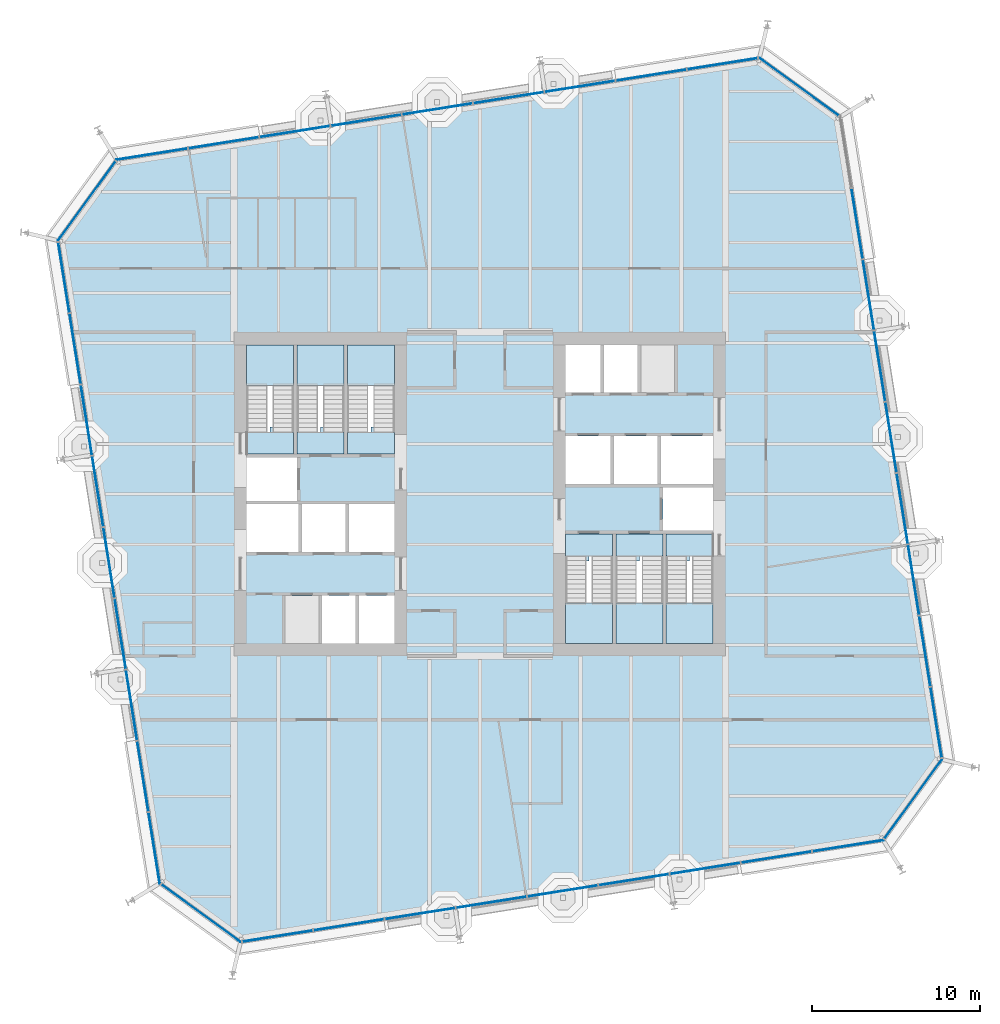
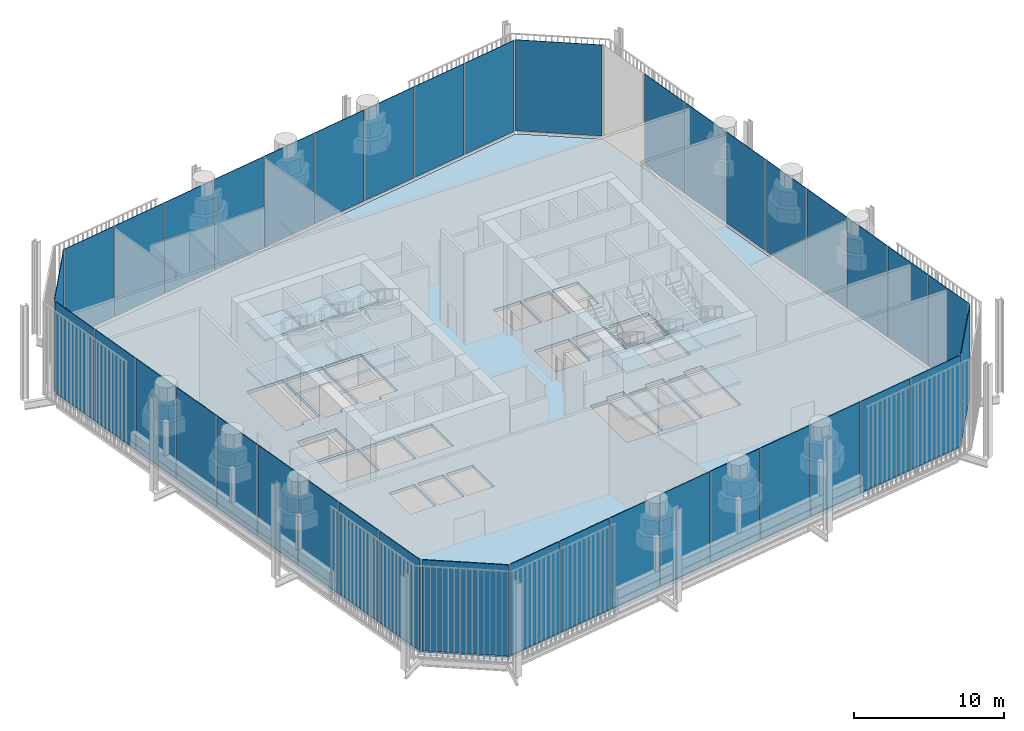
# One storey, part 10 of 19: 39 plates, 19 slabs, 14 elements without a shape of their own.
"""IFC4 building model written with IfcOpenShell, lengths in metres."""

from ifc_helpers import new_model, si_unit, direction, frame, origin, place, context, subcontext, project, spatial, polyline, outline, extrude, material, layer, layer_set, type_object, element, aggregate, save


model = new_model("IFC4")

# Units and contexts
model_context = context("Model", 3, precision=1e-05, world=origin(), true_north=direction((0.0, 1.0)))
body_context = subcontext(model_context, "Body", "Model", "MODEL_VIEW")
ifc_project = project(units=[si_unit("LENGTHUNIT", "METRE"), si_unit("AREAUNIT", "SQUARE_METRE"), si_unit("VOLUMEUNIT", "CUBIC_METRE"), si_unit("PLANEANGLEUNIT", "RADIAN"), si_unit("MASSUNIT", "GRAM", prefix="KILO")], contexts=[model_context])

# Site, building, storey
site_placement = place(None, origin())
site = spatial("IfcSite", under=ifc_project, at=site_placement, CompositionType="ELEMENT")
building_placement = place(site_placement, origin())
building = spatial("IfcBuilding", under=site, at=building_placement, Name="Millrace Tower", CompositionType="ELEMENT")
storey_placement = place(building_placement, frame((0.0, 0.0, 172.39990234375)))
storey = spatial("IfcBuildingStorey", under=building, at=storey_placement, Name="L39", CompositionType="ELEMENT", Elevation=172.39990234375)

# Curtain wall, plate
ifc_material_1 = material(Name="Aluminium and glass", Category="aluminium")
ifc_layer_1 = layer(ifc_material_1, 0.199951171875)
ifc_layer_set_1 = layer_set([ifc_layer_1], Name="Aluminium and glass")
curtain_wall_type = type_object("IfcCurtainWallType", Name="CW-4 sky garden winter glazing", PredefinedType="NOTDEFINED", material=ifc_layer_set_1)
placement_1 = place(storey_placement, origin())
curtain_wall_1 = element("IfcCurtainWall", 1, at=placement_1, inside=storey, type_object=curtain_wall_type, Name="Curtain wall C-F01 L39", PredefinedType="NOTDEFINED")
ifc_material_2 = material(Name="Glass", Category="glass")
ifc_layer_2 = layer(ifc_material_2, 0.0439453125)
ifc_layer_set_2 = layer_set([ifc_layer_2], Name="Glass")
plate_type = type_object("IfcPlateType", Name="CW-4 sky garden winter glazing triple-glazed double-height panel", PredefinedType="CURTAIN_PANEL", material=ifc_layer_set_2)
placement_2 = place(storey_placement, frame((0.0, 0.0, 0.18017578125)))
plate_1 = element("IfcPlate", 2, at=placement_2, type_object=plate_type, Name="CW4 panel C-F01.1", PredefinedType="CURTAIN_PANEL", context=body_context, shape_type="SweptSolid", body=[
    extrude(outline(polyline([(-18.99072265625, -23.28369140625), (-14.266357421875, -26.716064453125), (-14.25537109375, -26.669677734375), (-18.96484375, -23.248046875), (-18.99072265625, -23.28369140625)])), origin(), (0.0, 0.0, 1.0), 7.419921875),
])
aggregate(curtain_wall_1, [plate_1])

# Curtain wall, plates
curtain_wall_2 = element("IfcCurtainWall", 3, at=placement_1, inside=storey, type_object=curtain_wall_type, Name="Curtain wall C-F02 L39", PredefinedType="NOTDEFINED")
plate_2 = element("IfcPlate", 4, at=placement_2, type_object=plate_type, Name="CW4 panel C-F02.1", PredefinedType="CURTAIN_PANEL", context=body_context, shape_type="SweptSolid", body=[
    extrude(outline(polyline([(-14.137451171875, -26.695556640625), (-9.969482421875, -26.035400390625), (-9.976318359375, -25.991943359375), (-14.144287109375, -26.652099609375), (-14.137451171875, -26.695556640625)])), origin(), (0.0, 0.0, 1.0), 7.419921875),
])
plate_3 = element("IfcPlate", 5, at=placement_2, type_object=plate_type, Name="CW4 panel C-F02.2", PredefinedType="CURTAIN_PANEL", context=body_context, shape_type="SweptSolid", body=[
    extrude(outline(polyline([(-9.890380859375, -26.02294921875), (-5.722412109375, -25.36279296875), (-5.729248046875, -25.3193359375), (-9.897216796875, -25.9794921875), (-9.890380859375, -26.02294921875)])), origin(), (0.0, 0.0, 1.0), 7.419921875),
])
plate_4 = element("IfcPlate", 6, at=placement_2, type_object=plate_type, Name="CW4 panel C-F02.3", PredefinedType="CURTAIN_PANEL", context=body_context, shape_type="SweptSolid", body=[
    extrude(outline(polyline([(-5.643310546875, -25.350341796875), (-1.475341796875, -24.690185546875), (-1.482177734375, -24.646728515625), (-5.650146484375, -25.306884765625), (-5.643310546875, -25.350341796875)])), origin(), (0.0, 0.0, 1.0), 7.419921875),
])
plate_5 = element("IfcPlate", 7, at=placement_2, type_object=plate_type, Name="CW4 panel C-F02.4", PredefinedType="CURTAIN_PANEL", context=body_context, shape_type="SweptSolid", body=[
    extrude(outline(polyline([(-1.396240234375, -24.677734375), (2.771728515625, -24.017578125), (2.764892578125, -23.97412109375), (-1.403076171875, -24.63427734375), (-1.396240234375, -24.677734375)])), origin(), (0.0, 0.0, 1.0), 7.419921875),
])
plate_6 = element("IfcPlate", 8, at=placement_2, type_object=plate_type, Name="CW4 panel C-F02.5", PredefinedType="CURTAIN_PANEL", context=body_context, shape_type="SweptSolid", body=[
    extrude(outline(polyline([(2.850830078125, -24.0048828125), (7.018798828125, -23.3447265625), (7.011962890625, -23.30126953125), (2.843994140625, -23.96142578125), (2.850830078125, -24.0048828125)])), origin(), (0.0, 0.0, 1.0), 7.419921875),
])
plate_7 = element("IfcPlate", 9, at=placement_2, type_object=plate_type, Name="CW4 panel C-F02.6", PredefinedType="CURTAIN_PANEL", context=body_context, shape_type="SweptSolid", body=[
    extrude(outline(polyline([(7.097900390625, -23.332275390625), (11.265869140625, -22.672119140625), (11.259033203125, -22.628662109375), (7.091064453125, -23.288818359375), (7.097900390625, -23.332275390625)])), origin(), (0.0, 0.0, 1.0), 7.419921875),
])
plate_8 = element("IfcPlate", 10, at=placement_2, type_object=plate_type, Name="CW4 panel C-F02.7", PredefinedType="CURTAIN_PANEL", context=body_context, shape_type="SweptSolid", body=[
    extrude(outline(polyline([(11.344970703125, -22.65966796875), (15.512939453125, -21.99951171875), (15.506103515625, -21.9560546875), (11.338134765625, -22.6162109375), (11.344970703125, -22.65966796875)])), origin(), (0.0, 0.0, 1.0), 7.419921875),
])
plate_9 = element("IfcPlate", 11, at=placement_2, type_object=plate_type, Name="CW4 panel C-F02.8", PredefinedType="CURTAIN_PANEL", context=body_context, shape_type="SweptSolid", body=[
    extrude(outline(polyline([(15.592041015625, -21.987060546875), (19.760009765625, -21.326904296875), (19.753173828125, -21.283447265625), (15.5849609375, -21.943603515625), (15.592041015625, -21.987060546875)])), origin(), (0.0, 0.0, 1.0), 7.419921875),
])
plate_10 = element("IfcPlate", 12, at=placement_2, type_object=plate_type, Name="CW4 panel C-F02.9", PredefinedType="CURTAIN_PANEL", context=body_context, shape_type="SweptSolid", body=[
    extrude(outline(polyline([(19.839111328125, -21.314208984375), (24.056884765625, -20.646240234375), (24.031982421875, -20.605712890625), (19.83203125, -21.270751953125), (19.839111328125, -21.314208984375)])), origin(), (0.0, 0.0, 1.0), 7.419921875),
])
aggregate(curtain_wall_2, [plate_2, plate_3, plate_4, plate_5, plate_6, plate_7, plate_8, plate_9, plate_10])

# Curtain wall, plate
curtain_wall_3 = element("IfcCurtainWall", 13, at=placement_1, inside=storey, type_object=curtain_wall_type, Name="Curtain wall C-F03 L39", PredefinedType="NOTDEFINED")
plate_11 = element("IfcPlate", 14, at=placement_2, type_object=plate_type, Name="CW4 panel C-F03.1", PredefinedType="CURTAIN_PANEL", context=body_context, shape_type="SweptSolid", body=[
    extrude(outline(polyline([(24.1337890625, -20.540771484375), (27.566162109375, -15.81640625), (27.519775390625, -15.80517578125), (24.09814453125, -20.514892578125), (24.1337890625, -20.540771484375)])), origin(), (0.0, 0.0, 1.0), 7.419921875),
])
aggregate(curtain_wall_3, [plate_11])

# Curtain wall, plates
curtain_wall_4 = element("IfcCurtainWall", 15, at=placement_1, inside=storey, type_object=curtain_wall_type, Name="Curtain wall C-F04 L39", PredefinedType="NOTDEFINED")
plate_12 = element("IfcPlate", 16, at=placement_2, type_object=plate_type, Name="CW4 panel C-F04.1", PredefinedType="CURTAIN_PANEL", context=body_context, shape_type="SweptSolid", body=[
    extrude(outline(polyline([(27.545654296875, -15.6875), (26.885498046875, -11.51953125), (26.842041015625, -11.5263671875), (27.502197265625, -15.6943359375), (27.545654296875, -15.6875)])), origin(), (0.0, 0.0, 1.0), 7.419921875),
])
plate_13 = element("IfcPlate", 17, at=placement_2, type_object=plate_type, Name="CW4 panel C-F04.2", PredefinedType="CURTAIN_PANEL", context=body_context, shape_type="SweptSolid", body=[
    extrude(outline(polyline([(26.873046875, -11.4404296875), (26.212890625, -7.2724609375), (26.16943359375, -7.279296875), (26.82958984375, -11.447265625), (26.873046875, -11.4404296875)])), origin(), (0.0, 0.0, 1.0), 7.419921875),
])
plate_14 = element("IfcPlate", 18, at=placement_2, type_object=plate_type, Name="CW4 panel C-F04.3", PredefinedType="CURTAIN_PANEL", context=body_context, shape_type="SweptSolid", body=[
    extrude(outline(polyline([(26.200439453125, -7.193359375), (25.540283203125, -3.025390625), (25.496826171875, -3.0322265625), (26.156982421875, -7.2001953125), (26.200439453125, -7.193359375)])), origin(), (0.0, 0.0, 1.0), 7.419921875),
])
plate_15 = element("IfcPlate", 19, at=placement_2, type_object=plate_type, Name="CW4 panel C-F04.4", PredefinedType="CURTAIN_PANEL", context=body_context, shape_type="SweptSolid", body=[
    extrude(outline(polyline([(25.527587890625, -2.9462890625), (24.867431640625, 1.2216796875), (24.823974609375, 1.21484375), (25.484130859375, -2.953125), (25.527587890625, -2.9462890625)])), origin(), (0.0, 0.0, 1.0), 7.419921875),
])
plate_16 = element("IfcPlate", 20, at=placement_2, type_object=plate_type, Name="CW4 panel C-F04.5", PredefinedType="CURTAIN_PANEL", context=body_context, shape_type="SweptSolid", body=[
    extrude(outline(polyline([(24.85498046875, 1.30078125), (24.19482421875, 5.46875), (24.1513671875, 5.4619140625), (24.8115234375, 1.2939453125), (24.85498046875, 1.30078125)])), origin(), (0.0, 0.0, 1.0), 7.419921875),
])
plate_17 = element("IfcPlate", 21, at=placement_2, type_object=plate_type, Name="CW4 panel C-F04.6", PredefinedType="CURTAIN_PANEL", context=body_context, shape_type="SweptSolid", body=[
    extrude(outline(polyline([(24.182373046875, 5.5478515625), (23.522216796875, 9.7158203125), (23.478759765625, 9.708984375), (24.138916015625, 5.541015625), (24.182373046875, 5.5478515625)])), origin(), (0.0, 0.0, 1.0), 7.419921875),
])
plate_18 = element("IfcPlate", 22, at=placement_2, type_object=plate_type, Name="CW4 panel C-F04.7", PredefinedType="CURTAIN_PANEL", context=body_context, shape_type="SweptSolid", body=[
    extrude(outline(polyline([(23.509765625, 9.794921875), (22.849609375, 13.962890625), (22.80615234375, 13.9560546875), (23.46630859375, 9.7880859375), (23.509765625, 9.794921875)])), origin(), (0.0, 0.0, 1.0), 7.419921875),
])
plate_19 = element("IfcPlate", 23, at=placement_2, type_object=plate_type, Name="CW4 panel C-F04.8", PredefinedType="CURTAIN_PANEL", context=body_context, shape_type="SweptSolid", body=[
    extrude(outline(polyline([(22.8369140625, 14.0419921875), (22.1767578125, 18.2099609375), (22.13330078125, 18.203125), (22.79345703125, 14.03515625), (22.8369140625, 14.0419921875)])), origin(), (0.0, 0.0, 1.0), 7.419921875),
])
aggregate(curtain_wall_4, [plate_12, plate_13, plate_14, plate_15, plate_16, plate_17, plate_18, plate_19])

# Curtain wall, plate
curtain_wall_5 = element("IfcCurtainWall", 24, at=placement_1, inside=storey, type_object=curtain_wall_type, Name="Curtain wall C-F05 L39", PredefinedType="NOTDEFINED")
plate_20 = element("IfcPlate", 25, at=placement_2, type_object=plate_type, Name="CW4 panel C-F05.1", PredefinedType="CURTAIN_PANEL", context=body_context, shape_type="SweptSolid", body=[
    extrude(outline(polyline([(21.390625, 22.583740234375), (16.66650390625, 26.01611328125), (16.6552734375, 25.9697265625), (21.36474609375, 22.548095703125), (21.390625, 22.583740234375)])), origin(), (0.0, 0.0, 1.0), 7.419921875),
])
aggregate(curtain_wall_5, [plate_20])

# Curtain wall, plates
curtain_wall_6 = element("IfcCurtainWall", 26, at=placement_1, inside=storey, type_object=curtain_wall_type, Name="Curtain wall C-F06 L39", PredefinedType="NOTDEFINED")
plate_21 = element("IfcPlate", 27, at=placement_2, type_object=plate_type, Name="CW4 panel C-F06.1", PredefinedType="CURTAIN_PANEL", context=body_context, shape_type="SweptSolid", body=[
    extrude(outline(polyline([(16.537353515625, 25.99560546875), (12.369384765625, 25.33544921875), (12.376220703125, 25.2919921875), (16.54443359375, 25.9521484375), (16.537353515625, 25.99560546875)])), origin(), (0.0, 0.0, 1.0), 7.419921875),
])
plate_22 = element("IfcPlate", 28, at=placement_2, type_object=plate_type, Name="CW4 panel C-F06.2", PredefinedType="CURTAIN_PANEL", context=body_context, shape_type="SweptSolid", body=[
    extrude(outline(polyline([(12.290283203125, 25.322998046875), (8.122314453125, 24.662841796875), (8.129150390625, 24.619384765625), (12.29736328125, 25.279541015625), (12.290283203125, 25.322998046875)])), origin(), (0.0, 0.0, 1.0), 7.419921875),
])
plate_23 = element("IfcPlate", 29, at=placement_2, type_object=plate_type, Name="CW4 panel C-F06.3", PredefinedType="CURTAIN_PANEL", context=body_context, shape_type="SweptSolid", body=[
    extrude(outline(polyline([(8.04345703125, 24.650390625), (3.875244140625, 23.990234375), (3.882080078125, 23.94677734375), (8.05029296875, 24.60693359375), (8.04345703125, 24.650390625)])), origin(), (0.0, 0.0, 1.0), 7.419921875),
])
plate_24 = element("IfcPlate", 30, at=placement_2, type_object=plate_type, Name="CW4 panel C-F06.4", PredefinedType="CURTAIN_PANEL", context=body_context, shape_type="SweptSolid", body=[
    extrude(outline(polyline([(3.79638671875, 23.977783203125), (-0.371826171875, 23.317626953125), (-0.364990234375, 23.274169921875), (3.80322265625, 23.93408203125), (3.79638671875, 23.977783203125)])), origin(), (0.0, 0.0, 1.0), 7.419921875),
])
plate_25 = element("IfcPlate", 31, at=placement_2, type_object=plate_type, Name="CW4 panel C-F06.5", PredefinedType="CURTAIN_PANEL", context=body_context, shape_type="SweptSolid", body=[
    extrude(outline(polyline([(-0.45068359375, 23.304931640625), (-4.618896484375, 22.644775390625), (-4.612060546875, 22.601318359375), (-0.44384765625, 23.261474609375), (-0.45068359375, 23.304931640625)])), origin(), (0.0, 0.0, 1.0), 7.419921875),
])
plate_26 = element("IfcPlate", 32, at=placement_2, type_object=plate_type, Name="CW4 panel C-F06.6", PredefinedType="CURTAIN_PANEL", context=body_context, shape_type="SweptSolid", body=[
    extrude(outline(polyline([(-4.69775390625, 22.63232421875), (-8.865966796875, 21.97216796875), (-8.85888671875, 21.9287109375), (-4.69091796875, 22.5888671875), (-4.69775390625, 22.63232421875)])), origin(), (0.0, 0.0, 1.0), 7.419921875),
])
plate_27 = element("IfcPlate", 33, at=placement_2, type_object=plate_type, Name="CW4 panel C-F06.7", PredefinedType="CURTAIN_PANEL", context=body_context, shape_type="SweptSolid", body=[
    extrude(outline(polyline([(-8.94482421875, 21.959716796875), (-13.113037109375, 21.299560546875), (-13.10595703125, 21.256103515625), (-8.93798828125, 21.916259765625), (-8.94482421875, 21.959716796875)])), origin(), (0.0, 0.0, 1.0), 7.419921875),
])
plate_28 = element("IfcPlate", 34, at=placement_2, type_object=plate_type, Name="CW4 panel C-F06.8", PredefinedType="CURTAIN_PANEL", context=body_context, shape_type="SweptSolid", body=[
    extrude(outline(polyline([(-13.19189453125, 21.287109375), (-17.360107421875, 20.626953125), (-17.35302734375, 20.58349609375), (-13.18505859375, 21.24365234375), (-13.19189453125, 21.287109375)])), origin(), (0.0, 0.0, 1.0), 7.419921875),
])
plate_29 = element("IfcPlate", 35, at=placement_2, type_object=plate_type, Name="CW4 panel C-F06.9", PredefinedType="CURTAIN_PANEL", context=body_context, shape_type="SweptSolid", body=[
    extrude(outline(polyline([(-17.43896484375, 20.6142578125), (-21.656982421875, 19.9462890625), (-21.632080078125, 19.90576171875), (-17.43212890625, 20.57080078125), (-17.43896484375, 20.6142578125)])), origin(), (0.0, 0.0, 1.0), 7.419921875),
])
aggregate(curtain_wall_6, [plate_21, plate_22, plate_23, plate_24, plate_25, plate_26, plate_27, plate_28, plate_29])

# Curtain wall, plate
curtain_wall_7 = element("IfcCurtainWall", 36, at=placement_1, inside=storey, type_object=curtain_wall_type, Name="Curtain wall C-F07 L39", PredefinedType="NOTDEFINED")
plate_30 = element("IfcPlate", 37, at=placement_2, type_object=plate_type, Name="CW4 panel C-F07.1", PredefinedType="CURTAIN_PANEL", context=body_context, shape_type="SweptSolid", body=[
    extrude(outline(polyline([(-21.733642578125, 19.840576171875), (-25.166015625, 15.116455078125), (-25.119873046875, 15.105224609375), (-21.697998046875, 19.814697265625), (-21.733642578125, 19.840576171875)])), origin(), (0.0, 0.0, 1.0), 7.419921875),
])
aggregate(curtain_wall_7, [plate_30])

# Curtain wall, plates
curtain_wall_8 = element("IfcCurtainWall", 38, at=placement_1, inside=storey, type_object=curtain_wall_type, Name="Curtain wall C-F08 L39", PredefinedType="NOTDEFINED")
plate_31 = element("IfcPlate", 39, at=placement_2, type_object=plate_type, Name="CW4 panel C-F08.1", PredefinedType="CURTAIN_PANEL", context=body_context, shape_type="SweptSolid", body=[
    extrude(outline(polyline([(-25.145751953125, 14.987548828125), (-24.485595703125, 10.8193359375), (-24.442138671875, 10.826416015625), (-25.102294921875, 14.994384765625), (-25.145751953125, 14.987548828125)])), origin(), (0.0, 0.0, 1.0), 7.419921875),
])
plate_32 = element("IfcPlate", 40, at=placement_2, type_object=plate_type, Name="CW4 panel C-F08.2", PredefinedType="CURTAIN_PANEL", context=body_context, shape_type="SweptSolid", body=[
    extrude(outline(polyline([(-24.472900390625, 10.740478515625), (-23.812744140625, 6.572265625), (-23.769287109375, 6.579345703125), (-24.429443359375, 10.747314453125), (-24.472900390625, 10.740478515625)])), origin(), (0.0, 0.0, 1.0), 7.419921875),
])
plate_33 = element("IfcPlate", 41, at=placement_2, type_object=plate_type, Name="CW4 panel C-F08.3", PredefinedType="CURTAIN_PANEL", context=body_context, shape_type="SweptSolid", body=[
    extrude(outline(polyline([(-23.80029296875, 6.493408203125), (-23.14013671875, 2.3251953125), (-23.0966796875, 2.332275390625), (-23.7568359375, 6.500244140625), (-23.80029296875, 6.493408203125)])), origin(), (0.0, 0.0, 1.0), 7.419921875),
])
plate_34 = element("IfcPlate", 42, at=placement_2, type_object=plate_type, Name="CW4 panel C-F08.4", PredefinedType="CURTAIN_PANEL", context=body_context, shape_type="SweptSolid", body=[
    extrude(outline(polyline([(-23.127685546875, 2.246337890625), (-22.467529296875, -1.921875), (-22.424072265625, -1.914794921875), (-23.084228515625, 2.253173828125), (-23.127685546875, 2.246337890625)])), origin(), (0.0, 0.0, 1.0), 7.419921875),
])
plate_35 = element("IfcPlate", 43, at=placement_2, type_object=plate_type, Name="CW4 panel C-F08.5", PredefinedType="CURTAIN_PANEL", context=body_context, shape_type="SweptSolid", body=[
    extrude(outline(polyline([(-22.455078125, -2.000732421875), (-21.794921875, -6.1689453125), (-21.75146484375, -6.161865234375), (-22.41162109375, -1.993896484375), (-22.455078125, -2.000732421875)])), origin(), (0.0, 0.0, 1.0), 7.419921875),
])
plate_36 = element("IfcPlate", 44, at=placement_2, type_object=plate_type, Name="CW4 panel C-F08.6", PredefinedType="CURTAIN_PANEL", context=body_context, shape_type="SweptSolid", body=[
    extrude(outline(polyline([(-21.7822265625, -6.247802734375), (-21.1220703125, -10.415771484375), (-21.07861328125, -10.408935546875), (-21.73876953125, -6.240966796875), (-21.7822265625, -6.247802734375)])), origin(), (0.0, 0.0, 1.0), 7.419921875),
])
plate_37 = element("IfcPlate", 45, at=placement_2, type_object=plate_type, Name="CW4 panel C-F08.7", PredefinedType="CURTAIN_PANEL", context=body_context, shape_type="SweptSolid", body=[
    extrude(outline(polyline([(-21.109619140625, -10.494873046875), (-20.449462890625, -14.662841796875), (-20.406005859375, -14.656005859375), (-21.066162109375, -10.488037109375), (-21.109619140625, -10.494873046875)])), origin(), (0.0, 0.0, 1.0), 7.419921875),
])
plate_38 = element("IfcPlate", 46, at=placement_2, type_object=plate_type, Name="CW4 panel C-F08.8", PredefinedType="CURTAIN_PANEL", context=body_context, shape_type="SweptSolid", body=[
    extrude(outline(polyline([(-20.43701171875, -14.741943359375), (-19.77685546875, -18.909912109375), (-19.7333984375, -18.903076171875), (-20.3935546875, -14.735107421875), (-20.43701171875, -14.741943359375)])), origin(), (0.0, 0.0, 1.0), 7.419921875),
])
plate_39 = element("IfcPlate", 47, at=placement_2, type_object=plate_type, Name="CW4 panel C-F08.9", PredefinedType="CURTAIN_PANEL", context=body_context, shape_type="SweptSolid", body=[
    extrude(outline(polyline([(-19.764404296875, -18.989013671875), (-19.09619140625, -23.20703125), (-19.0556640625, -23.18212890625), (-19.720947265625, -18.982177734375), (-19.764404296875, -18.989013671875)])), origin(), (0.0, 0.0, 1.0), 7.419921875),
])
aggregate(curtain_wall_8, [plate_31, plate_32, plate_33, plate_34, plate_35, plate_36, plate_37, plate_38, plate_39])

# Slab
ifc_material_3 = material(Name="Concrete C35 on steel deck", Category="concrete")
ifc_layer_3 = layer(ifc_material_3, 0.25)
ifc_layer_set_3 = layer_set([ifc_layer_3], Name="Concrete C35 on steel deck")
slab_type_1 = type_object("IfcSlabType", Name="Composite floor slab 250 mm", PredefinedType="FLOOR", material=ifc_layer_set_3)
slab_1_placement = place(storey_placement, frame((0.0, 0.0, -0.25)))
element("IfcSlab", 48, at=slab_1_placement, inside=storey, type_object=slab_type_1, Name="SL-C-L39-S1", PredefinedType="FLOOR", context=body_context, shape_type="SweptSolid", body=[
    extrude(outline(polyline([(-18.983642578125, -23.137939453125), (-14.235595703125, -26.587646484375), (23.988037109375, -20.53369140625), (27.437744140625, -15.78564453125), (21.3837890625, 22.43798828125), (16.635498046875, 25.8876953125), (-21.587890625, 19.833740234375), (-25.03759765625, 15.08544921875), (-18.983642578125, -23.137939453125)]), holes=[polyline([(-11.60009765625, -8.89990234375), (-9.60009765625, -8.89990234375), (-9.60009765625, -6.050048828125), (-11.60009765625, -6.050048828125), (-11.60009765625, -8.89990234375)]), polyline([(-9.39990234375, -8.89990234375), (-7.39990234375, -8.89990234375), (-7.39990234375, -6.050048828125), (-9.39990234375, -6.050048828125), (-9.39990234375, -8.89990234375)]), polyline([(-7.199951171875, -8.89990234375), (-5.10009765625, -8.89990234375), (-5.10009765625, -6.050048828125), (-7.199951171875, -6.050048828125), (-7.199951171875, -8.89990234375)]), polyline([(-13.89990234375, -3.449951171875), (-10.800048828125, -3.449951171875), (-10.800048828125, -0.60009765625), (-13.89990234375, -0.60009765625), (-13.89990234375, -3.449951171875)]), polyline([(-10.60009765625, -3.449951171875), (-8.0, -3.449951171875), (-8.0, -0.60009765625), (-10.60009765625, -0.60009765625), (-10.60009765625, -3.449951171875)]), polyline([(-7.800048828125, -3.449951171875), (-5.10009765625, -3.449951171875), (-5.10009765625, -0.60009765625), (-7.800048828125, -0.60009765625), (-7.800048828125, -3.449951171875)]), polyline([(-13.89990234375, -0.39990234375), (-10.89990234375, -0.39990234375), (-10.89990234375, 2.179931640625), (-13.89990234375, 2.179931640625), (-13.89990234375, -0.39990234375)]), polyline([(-12.5, 3.679931640625), (-12.5, 4.0), (-11.10009765625, 4.0), (-11.10009765625, 8.89990234375), (-12.5, 8.89990234375), (-13.89990234375, 8.89990234375), (-13.89990234375, 3.679931640625), (-12.5, 3.679931640625)]), polyline([(-9.5, 3.679931640625), (-9.5, 4.0), (-8.10009765625, 4.0), (-8.10009765625, 8.89990234375), (-9.5, 8.89990234375), (-10.89990234375, 8.89990234375), (-10.89990234375, 3.679931640625), (-9.5, 3.679931640625)]), polyline([(-6.5, 3.679931640625), (-6.5, 4.0), (-5.10009765625, 4.0), (-5.10009765625, 8.89990234375), (-6.5, 8.89990234375), (-7.89990234375, 8.89990234375), (-7.89990234375, 3.679931640625), (-6.5, 3.679931640625)]), polyline([(9.60009765625, 6.050048828125), (11.60009765625, 6.050048828125), (11.60009765625, 8.89990234375), (9.60009765625, 8.89990234375), (9.60009765625, 6.050048828125)]), polyline([(7.39990234375, 6.050048828125), (9.39990234375, 6.050048828125), (9.39990234375, 8.89990234375), (7.39990234375, 8.89990234375), (7.39990234375, 6.050048828125)]), polyline([(5.10009765625, 6.050048828125), (7.199951171875, 6.050048828125), (7.199951171875, 8.89990234375), (5.10009765625, 8.89990234375), (5.10009765625, 6.050048828125)]), polyline([(10.800048828125, 0.60009765625), (13.89990234375, 0.60009765625), (13.89990234375, 3.449951171875), (10.800048828125, 3.449951171875), (10.800048828125, 0.60009765625)]), polyline([(8.0, 0.60009765625), (10.60009765625, 0.60009765625), (10.60009765625, 3.449951171875), (8.0, 3.449951171875), (8.0, 0.60009765625)]), polyline([(5.10009765625, 0.60009765625), (7.800048828125, 0.60009765625), (7.800048828125, 3.449951171875), (5.10009765625, 3.449951171875), (5.10009765625, 0.60009765625)]), polyline([(10.89990234375, -2.179931640625), (13.89990234375, -2.179931640625), (13.89990234375, 0.39990234375), (10.89990234375, 0.39990234375), (10.89990234375, -2.179931640625)]), polyline([(11.10009765625, -8.89990234375), (12.5, -8.89990234375), (13.89990234375, -8.89990234375), (13.89990234375, -3.679931640625), (12.5, -3.679931640625), (12.5, -4.0), (11.10009765625, -4.0), (11.10009765625, -8.89990234375)]), polyline([(8.10009765625, -8.89990234375), (9.5, -8.89990234375), (10.89990234375, -8.89990234375), (10.89990234375, -3.679931640625), (9.5, -3.679931640625), (9.5, -4.0), (8.10009765625, -4.0), (8.10009765625, -8.89990234375)]), polyline([(5.10009765625, -8.89990234375), (6.5, -8.89990234375), (7.89990234375, -8.89990234375), (7.89990234375, -3.679931640625), (6.5, -3.679931640625), (6.5, -4.0), (5.10009765625, -4.0), (5.10009765625, -8.89990234375)])]), origin(), (0.0, 0.0, 1.0), 0.25),
])

# Stair, slabs
ifc_material_4 = material(Name="Concrete C35", Category="concrete")
stair_type = type_object("IfcStairType", Name="Exit stair", PredefinedType="HALF_TURN_STAIR", material=ifc_material_4)
stair_1 = element("IfcStair", 49, at=placement_1, inside=storey, type_object=stair_type, Name="Stair 1 W L39", PredefinedType="HALF_TURN_STAIR")
ifc_material_5 = material(Name="Concrete C40", Category="concrete")
ifc_layer_4 = layer(ifc_material_5, 0.199951171875)
ifc_layer_set_4 = layer_set([ifc_layer_4], Name="Concrete C40")
slab_type_2 = type_object("IfcSlabType", Name="Stair landing", PredefinedType="LANDING", material=ifc_layer_set_4)
placement_3 = place(storey_placement, frame((0.0, 0.0, 1.7001953125)))
slab_2 = element("IfcSlab", 50, at=placement_3, type_object=slab_type_2, Name="ST12 landing 1", PredefinedType="LANDING", context=body_context, shape_type="SweptSolid", body=[
    extrude(outline(polyline([(-13.89990234375, 6.47998046875), (-11.10009765625, 6.47998046875), (-11.10009765625, 8.89990234375), (-13.89990234375, 8.89990234375), (-13.89990234375, 6.47998046875)])), origin(), (0.0, 0.0, 1.0), 0.199951171875),
])
placement_4 = place(storey_placement, frame((0.0, 0.0, 3.60009765625)))
slab_3 = element("IfcSlab", 51, at=placement_4, type_object=slab_type_2, Name="ST12 landing 2", PredefinedType="LANDING", context=body_context, shape_type="SweptSolid", body=[
    extrude(outline(polyline([(-13.89990234375, 2.3798828125), (-11.10009765625, 2.3798828125), (-11.10009765625, 3.679931640625), (-13.89990234375, 3.679931640625), (-13.89990234375, 2.3798828125)])), origin(), (0.0, 0.0, 1.0), 0.199951171875),
])
placement_5 = place(storey_placement, frame((0.0, 0.0, 5.5)))
slab_4 = element("IfcSlab", 52, at=placement_5, type_object=slab_type_2, Name="ST12 landing 3", PredefinedType="LANDING", context=body_context, shape_type="SweptSolid", body=[
    extrude(outline(polyline([(-13.89990234375, 6.47998046875), (-11.10009765625, 6.47998046875), (-11.10009765625, 8.89990234375), (-13.89990234375, 8.89990234375), (-13.89990234375, 6.47998046875)])), origin(), (0.0, 0.0, 1.0), 0.2001953125),
])
aggregate(stair_1, [slab_2, slab_3, slab_4])

stair_2 = element("IfcStair", 53, at=placement_1, inside=storey, type_object=stair_type, Name="Stair 2 W L39", PredefinedType="HALF_TURN_STAIR")
slab_5 = element("IfcSlab", 54, at=placement_3, type_object=slab_type_2, Name="ST12 landing 1", PredefinedType="LANDING", context=body_context, shape_type="SweptSolid", body=[
    extrude(outline(polyline([(-10.89990234375, 6.47998046875), (-8.10009765625, 6.47998046875), (-8.10009765625, 8.89990234375), (-10.89990234375, 8.89990234375), (-10.89990234375, 6.47998046875)])), origin(), (0.0, 0.0, 1.0), 0.199951171875),
])
slab_6 = element("IfcSlab", 55, at=placement_4, type_object=slab_type_2, Name="ST12 landing 2", PredefinedType="LANDING", context=body_context, shape_type="SweptSolid", body=[
    extrude(outline(polyline([(-10.89990234375, 2.3798828125), (-8.10009765625, 2.3798828125), (-8.10009765625, 3.679931640625), (-10.89990234375, 3.679931640625), (-10.89990234375, 2.3798828125)])), origin(), (0.0, 0.0, 1.0), 0.199951171875),
])
slab_7 = element("IfcSlab", 56, at=placement_5, type_object=slab_type_2, Name="ST12 landing 3", PredefinedType="LANDING", context=body_context, shape_type="SweptSolid", body=[
    extrude(outline(polyline([(-10.89990234375, 6.47998046875), (-8.10009765625, 6.47998046875), (-8.10009765625, 8.89990234375), (-10.89990234375, 8.89990234375), (-10.89990234375, 6.47998046875)])), origin(), (0.0, 0.0, 1.0), 0.2001953125),
])
aggregate(stair_2, [slab_5, slab_6, slab_7])

stair_3 = element("IfcStair", 57, at=placement_1, inside=storey, type_object=stair_type, Name="Stair 3 W L39", PredefinedType="HALF_TURN_STAIR")
slab_8 = element("IfcSlab", 58, at=placement_3, type_object=slab_type_2, Name="ST12 landing 1", PredefinedType="LANDING", context=body_context, shape_type="SweptSolid", body=[
    extrude(outline(polyline([(-7.89990234375, 6.47998046875), (-5.10009765625, 6.47998046875), (-5.10009765625, 8.89990234375), (-7.89990234375, 8.89990234375), (-7.89990234375, 6.47998046875)])), origin(), (0.0, 0.0, 1.0), 0.199951171875),
])
slab_9 = element("IfcSlab", 59, at=placement_4, type_object=slab_type_2, Name="ST12 landing 2", PredefinedType="LANDING", context=body_context, shape_type="SweptSolid", body=[
    extrude(outline(polyline([(-7.89990234375, 2.3798828125), (-5.10009765625, 2.3798828125), (-5.10009765625, 3.679931640625), (-7.89990234375, 3.679931640625), (-7.89990234375, 2.3798828125)])), origin(), (0.0, 0.0, 1.0), 0.199951171875),
])
slab_10 = element("IfcSlab", 60, at=placement_5, type_object=slab_type_2, Name="ST12 landing 3", PredefinedType="LANDING", context=body_context, shape_type="SweptSolid", body=[
    extrude(outline(polyline([(-7.89990234375, 6.47998046875), (-5.10009765625, 6.47998046875), (-5.10009765625, 8.89990234375), (-7.89990234375, 8.89990234375), (-7.89990234375, 6.47998046875)])), origin(), (0.0, 0.0, 1.0), 0.2001953125),
])
aggregate(stair_3, [slab_8, slab_9, slab_10])

stair_4 = element("IfcStair", 61, at=placement_1, inside=storey, type_object=stair_type, Name="Stair 1 E L39", PredefinedType="HALF_TURN_STAIR")
slab_11 = element("IfcSlab", 62, at=placement_3, type_object=slab_type_2, Name="ST12 landing 1", PredefinedType="LANDING", context=body_context, shape_type="SweptSolid", body=[
    extrude(outline(polyline([(11.10009765625, -8.89990234375), (13.89990234375, -8.89990234375), (13.89990234375, -6.47998046875), (11.10009765625, -6.47998046875), (11.10009765625, -8.89990234375)])), origin(), (0.0, 0.0, 1.0), 0.199951171875),
])
slab_12 = element("IfcSlab", 63, at=placement_4, type_object=slab_type_2, Name="ST12 landing 2", PredefinedType="LANDING", context=body_context, shape_type="SweptSolid", body=[
    extrude(outline(polyline([(11.10009765625, -3.679931640625), (13.89990234375, -3.679931640625), (13.89990234375, -2.3798828125), (11.10009765625, -2.3798828125), (11.10009765625, -3.679931640625)])), origin(), (0.0, 0.0, 1.0), 0.199951171875),
])
slab_13 = element("IfcSlab", 64, at=placement_5, type_object=slab_type_2, Name="ST12 landing 3", PredefinedType="LANDING", context=body_context, shape_type="SweptSolid", body=[
    extrude(outline(polyline([(11.10009765625, -8.89990234375), (13.89990234375, -8.89990234375), (13.89990234375, -6.47998046875), (11.10009765625, -6.47998046875), (11.10009765625, -8.89990234375)])), origin(), (0.0, 0.0, 1.0), 0.2001953125),
])
aggregate(stair_4, [slab_11, slab_12, slab_13])

stair_5 = element("IfcStair", 65, at=placement_1, inside=storey, type_object=stair_type, Name="Stair 2 E L39", PredefinedType="HALF_TURN_STAIR")
slab_14 = element("IfcSlab", 66, at=placement_3, type_object=slab_type_2, Name="ST12 landing 1", PredefinedType="LANDING", context=body_context, shape_type="SweptSolid", body=[
    extrude(outline(polyline([(8.10009765625, -8.89990234375), (10.89990234375, -8.89990234375), (10.89990234375, -6.47998046875), (8.10009765625, -6.47998046875), (8.10009765625, -8.89990234375)])), origin(), (0.0, 0.0, 1.0), 0.199951171875),
])
slab_15 = element("IfcSlab", 67, at=placement_4, type_object=slab_type_2, Name="ST12 landing 2", PredefinedType="LANDING", context=body_context, shape_type="SweptSolid", body=[
    extrude(outline(polyline([(8.10009765625, -3.679931640625), (10.89990234375, -3.679931640625), (10.89990234375, -2.3798828125), (8.10009765625, -2.3798828125), (8.10009765625, -3.679931640625)])), origin(), (0.0, 0.0, 1.0), 0.199951171875),
])
slab_16 = element("IfcSlab", 68, at=placement_5, type_object=slab_type_2, Name="ST12 landing 3", PredefinedType="LANDING", context=body_context, shape_type="SweptSolid", body=[
    extrude(outline(polyline([(8.10009765625, -8.89990234375), (10.89990234375, -8.89990234375), (10.89990234375, -6.47998046875), (8.10009765625, -6.47998046875), (8.10009765625, -8.89990234375)])), origin(), (0.0, 0.0, 1.0), 0.2001953125),
])
aggregate(stair_5, [slab_14, slab_15, slab_16])

stair_6 = element("IfcStair", 69, at=placement_1, inside=storey, type_object=stair_type, Name="Stair 3 E L39", PredefinedType="HALF_TURN_STAIR")
slab_17 = element("IfcSlab", 70, at=placement_3, type_object=slab_type_2, Name="ST12 landing 1", PredefinedType="LANDING", context=body_context, shape_type="SweptSolid", body=[
    extrude(outline(polyline([(5.10009765625, -8.89990234375), (7.89990234375, -8.89990234375), (7.89990234375, -6.47998046875), (5.10009765625, -6.47998046875), (5.10009765625, -8.89990234375)])), origin(), (0.0, 0.0, 1.0), 0.199951171875),
])
slab_18 = element("IfcSlab", 71, at=placement_4, type_object=slab_type_2, Name="ST12 landing 2", PredefinedType="LANDING", context=body_context, shape_type="SweptSolid", body=[
    extrude(outline(polyline([(5.10009765625, -3.679931640625), (7.89990234375, -3.679931640625), (7.89990234375, -2.3798828125), (5.10009765625, -2.3798828125), (5.10009765625, -3.679931640625)])), origin(), (0.0, 0.0, 1.0), 0.199951171875),
])
slab_19 = element("IfcSlab", 72, at=placement_5, type_object=slab_type_2, Name="ST12 landing 3", PredefinedType="LANDING", context=body_context, shape_type="SweptSolid", body=[
    extrude(outline(polyline([(5.10009765625, -8.89990234375), (7.89990234375, -8.89990234375), (7.89990234375, -6.47998046875), (5.10009765625, -6.47998046875), (5.10009765625, -8.89990234375)])), origin(), (0.0, 0.0, 1.0), 0.2001953125),
])
aggregate(stair_6, [slab_17, slab_18, slab_19])

save(model, "model.ifc")
